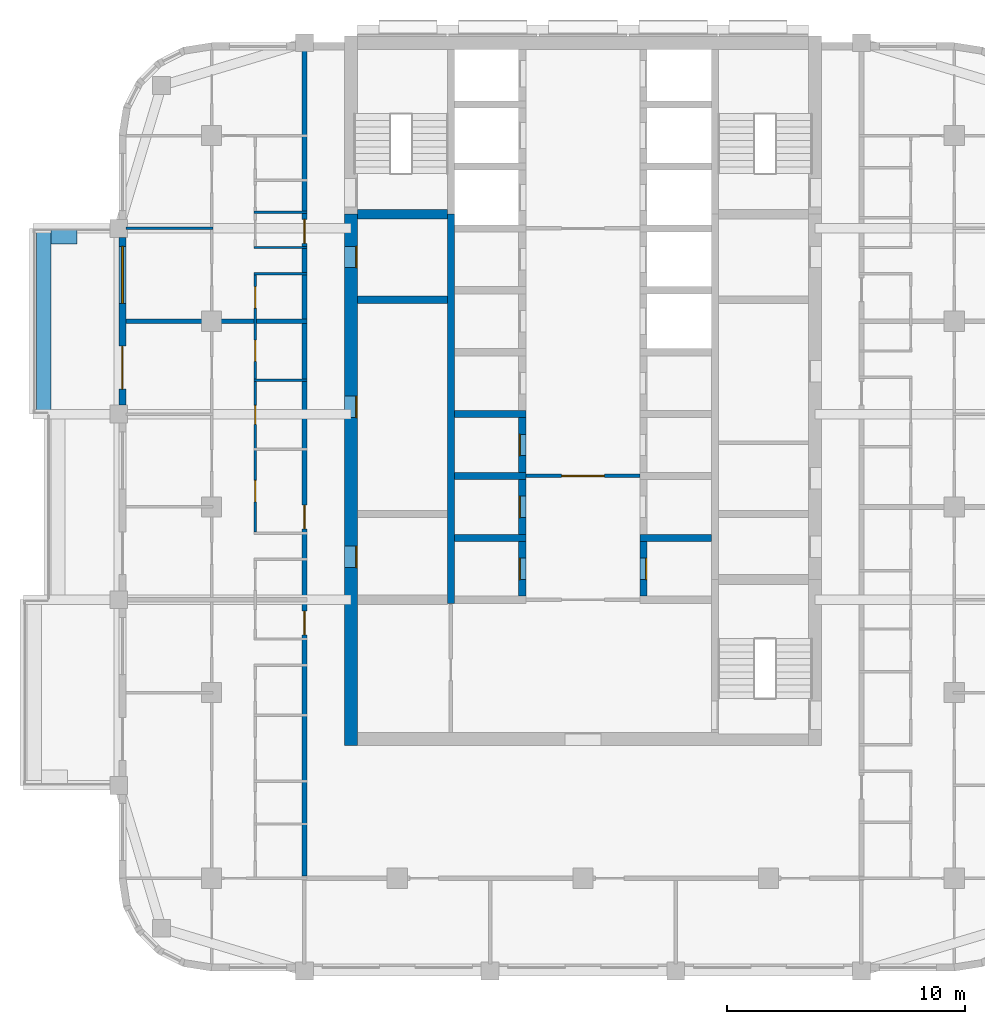
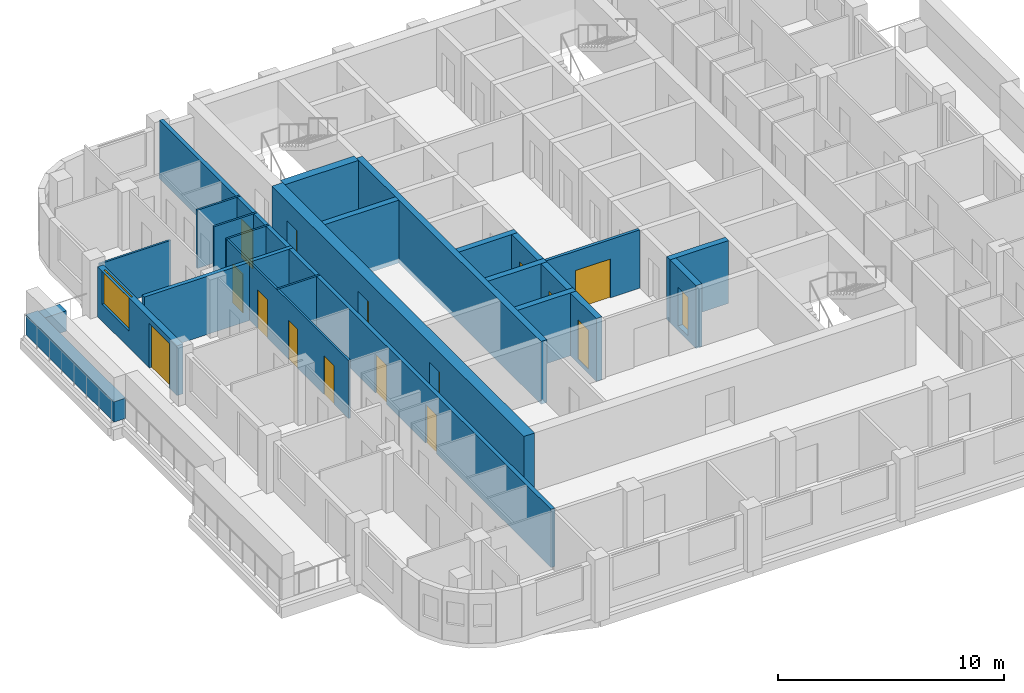
# One storey, part 4 of 13: 24 walls, 16 doors, 1 window, 17 openings.
"""IFC4 building model written with IfcOpenShell, lengths in metres."""

from ifc_helpers import new_model, si_unit, direction, frame, frame_2d, origin, place, context, subcontext, project, spatial, rectangle, extrude, material, layer, layer_set, type_object, element, fill, save


model = new_model("IFC4")

# Units and contexts
model_context = context("Model", 3, precision=1e-05, world=origin(), true_north=direction((0.0, 1.0)))
body_context = subcontext(model_context, "Body", "Model", "MODEL_VIEW")
ifc_project = project(units=[si_unit("LENGTHUNIT", "METRE"), si_unit("AREAUNIT", "SQUARE_METRE"), si_unit("VOLUMEUNIT", "CUBIC_METRE"), si_unit("PLANEANGLEUNIT", "RADIAN"), si_unit("MASSUNIT", "GRAM", prefix="KILO")], contexts=[model_context])

# Site, building, storey
site_placement = place(None, origin())
site = spatial("IfcSite", under=ifc_project, at=site_placement, CompositionType="ELEMENT")
building_placement = place(site_placement, origin())
building = spatial("IfcBuilding", under=site, at=building_placement, Name="Ludao Terraces", CompositionType="ELEMENT")
storey_placement = place(building_placement, frame((0.0, 0.0, 152.0)))
storey = spatial("IfcBuildingStorey", under=building, at=storey_placement, Name="L41", CompositionType="ELEMENT", Elevation=152.0)

# Wall, openings, doors
ifc_material_1 = material(Name="Concrete C60", Category="concrete")
ifc_layer_1 = layer(ifc_material_1, 0.550048828125)
ifc_layer_set_1 = layer_set([ifc_layer_1], Name="Core wall 550 C60")
wall_type_1 = type_object("IfcWallType", Name="Core wall 550 C60", PredefinedType="SOLIDWALL", material=ifc_layer_set_1)
wall_1_placement = place(storey_placement, frame((75.25, 54.97509765625, -0.25), z_axis=(0.0, 0.0, 1.0), x_axis=(0.0, 1.0, 0.0)))
wall_1 = element("IfcWall", 1, at=wall_1_placement, inside=storey, type_object=wall_type_1, Name="Core wall L41 outer-W", PredefinedType="SOLIDWALL", context=body_context, shape_type="SweptSolid", body=[
    extrude(rectangle(XDim=22.324951171875, YDim=0.550048828125, at=frame_2d((11.16259765625, 0.0))), origin(), (0.0, 0.0, 1.0), 3.39990234375),
])
opening_1_placement = place(wall_1_placement, frame((7.47509765625, 0.0, 0.25)))
opening_1 = element("IfcOpeningElement", 2, at=opening_1_placement, cuts=wall_1, Name="Opening R14-033", PredefinedType="OPENING", context=body_context, shape_type="SweptSolid", body=[
    extrude(rectangle(XDim=0.89990234375, YDim=2.10009765625, at=frame_2d((0.449951171875, 1.050048828125))), frame((0.0, 0.28515625, 0.0), z_axis=(0.0, -1.0, 0.0), x_axis=(1.0, 0.0, 0.0)), (0.0, 0.0, 1.0), 0.570068359375),
])
opening_2_placement = place(wall_1_placement, frame((13.77490234375, 0.0, 0.25)))
opening_2 = element("IfcOpeningElement", 3, at=opening_2_placement, cuts=wall_1, Name="Opening R14-051", PredefinedType="OPENING", context=body_context, shape_type="SweptSolid", body=[
    extrude(rectangle(XDim=0.89990234375, YDim=2.10009765625, at=frame_2d((0.449951171875, 1.050048828125))), frame((0.0, 0.28515625, 0.0), z_axis=(0.0, -1.0, 0.0), x_axis=(1.0, 0.0, 0.0)), (0.0, 0.0, 1.0), 0.570068359375),
])
opening_3_placement = place(wall_1_placement, frame((20.074951171875, 0.0, 0.25)))
opening_3 = element("IfcOpeningElement", 4, at=opening_3_placement, cuts=wall_1, Name="Opening R14-069", PredefinedType="OPENING", context=body_context, shape_type="SweptSolid", body=[
    extrude(rectangle(XDim=0.89990234375, YDim=2.10009765625, at=frame_2d((0.449951171875, 1.050048828125))), frame((0.0, 0.28515625, 0.0), z_axis=(0.0, -1.0, 0.0), x_axis=(1.0, 0.0, 0.0)), (0.0, 0.0, 1.0), 0.570068359375),
])
ifc_material_2 = material(Name="Steel Q235", Category="steel")
door_type_1 = type_object("IfcDoorType", Name="INT Riser door 900", OperationType="SINGLE_SWING_LEFT", PredefinedType="DOOR", material=ifc_material_2)
door_1_placement = place(opening_1_placement, origin())
door_1 = element("IfcDoor", 5, at=door_1_placement, inside=storey, type_object=door_type_1, Name="DOOR 033", OperationType="SINGLE_SWING_RIGHT", OverallHeight=2.10009765625, OverallWidth=0.89990234375, PredefinedType="DOOR", context=body_context, shape_type="SweptSolid", body=[
    extrude(rectangle(XDim=0.89990234375, YDim=2.10009765625, at=frame_2d((0.449951171875, 1.050048828125))), frame((0.0, -0.2099609375, 0.0), z_axis=(0.0, -1.0, 0.0), x_axis=(1.0, 0.0, 0.0)), (0.0, 0.0, 1.0), 0.050048828125),
])
fill(opening_1, door_1)
door_2_placement = place(opening_3_placement, origin())
door_2 = element("IfcDoor", 6, at=door_2_placement, inside=storey, type_object=door_type_1, Name="DOOR 069", OperationType="SINGLE_SWING_LEFT", OverallHeight=2.10009765625, OverallWidth=0.89990234375, PredefinedType="DOOR", context=body_context, shape_type="SweptSolid", body=[
    extrude(rectangle(XDim=0.89990234375, YDim=2.10009765625, at=frame_2d((0.449951171875, 1.050048828125))), frame((0.0, -0.2099609375, 0.0), z_axis=(0.0, -1.0, 0.0), x_axis=(1.0, 0.0, 0.0)), (0.0, 0.0, 1.0), 0.050048828125),
])
fill(opening_3, door_2)
ifc_material_3 = material(Name="Timber door leaf", Category="wood")
door_type_2 = type_object("IfcDoorType", Name="INT Room door 900", OperationType="SINGLE_SWING_LEFT", PredefinedType="DOOR", material=ifc_material_3)
door_3_placement = place(opening_2_placement, origin())
door_3 = element("IfcDoor", 7, at=door_3_placement, inside=storey, type_object=door_type_2, Name="DOOR 051", OperationType="SINGLE_SWING_LEFT", OverallHeight=2.10009765625, OverallWidth=0.89990234375, PredefinedType="DOOR", context=body_context, shape_type="SweptSolid", body=[
    extrude(rectangle(XDim=0.89990234375, YDim=2.10009765625, at=frame_2d((0.449951171875, 1.050048828125))), frame((0.0, -0.2099609375, 0.0), z_axis=(0.0, -1.0, 0.0), x_axis=(1.0, 0.0, 0.0)), (0.0, 0.0, 1.0), 0.050048828125),
])
fill(opening_2, door_3)

# Walls
ifc_material_4 = material(Name="Concrete C40", Category="concrete")
ifc_layer_2 = layer(ifc_material_4, 0.60009765625)
ifc_layer_set_2 = layer_set([ifc_layer_2], Name="ENV Planter trough 600")
wall_type_2 = type_object("IfcWallType", Name="ENV Planter trough 600", PredefinedType="USERDEFINED", material=ifc_layer_set_2)
wall_2_placement = place(storey_placement, frame((62.35009765625, 68.89990234375, 0.0), z_axis=(0.0, 0.0, 1.0), x_axis=(0.0, 1.0, 0.0)))
element("IfcWall", 8, at=wall_2_placement, inside=storey, type_object=wall_type_2, Name="PL-L41-W3", ObjectType="PLANTER", PredefinedType="USERDEFINED", context=body_context, shape_type="SweptSolid", body=[
    extrude(rectangle(XDim=7.800048828125, YDim=0.60009765625, at=frame_2d((3.89990234375, 0.0))), origin(), (0.0, 0.0, 1.0), 1.10009765625),
])
wall_3_placement = place(storey_placement, frame((62.64990234375, 76.35009765625, 0.0), z_axis=(0.0, 0.0, 1.0), x_axis=(1.0, 0.0, 0.0)))
element("IfcWall", 9, at=wall_3_placement, inside=storey, type_object=wall_type_2, Name="PL-L41-W3-SB", ObjectType="PLANTER", PredefinedType="USERDEFINED", context=body_context, shape_type="SweptSolid", body=[
    extrude(rectangle(XDim=1.10009765625, YDim=0.60009765625, at=frame_2d((0.550048828125, 0.0))), origin(), (0.0, 0.0, 1.0), 1.10009765625),
])

# Wall, openings, door, window
ifc_material_5 = material(Name="Granite cladding", Category="masonry")
ifc_layer_3 = layer(ifc_material_5, 0.0400390625, Category="stone")
ifc_material_6 = material(Name="Mineral wool")
ifc_layer_4 = layer(ifc_material_6, 0.06005859375)
ifc_layer_5 = layer(ifc_material_4, 0.199951171875, Category="concrete")
ifc_layer_set_3 = layer_set([ifc_layer_3, ifc_layer_4, ifc_layer_5], Name="ENV Stone-clad wall 300")
wall_type_3 = type_object("IfcWallType", Name="ENV Stone-clad wall 300", PredefinedType="SOLIDWALL", material=ifc_layer_set_3)
wall_4_placement = place(storey_placement, frame((65.64990234375, 69.27490234375, 0.0), z_axis=(0.0, 0.0, 1.0), x_axis=(0.0, 1.0, 0.0)))
wall_4 = element("IfcWall", 10, at=wall_4_placement, inside=storey, type_object=wall_type_3, Name="EW-L41-W4", PredefinedType="SOLIDWALL", context=body_context, shape_type="SweptSolid", body=[
    extrude(rectangle(XDim=7.050048828125, YDim=0.300048828125, at=frame_2d((3.52490234375, 0.0))), origin(), (0.0, 0.0, 1.0), 2.699951171875),
])
opening_4_placement = place(wall_4_placement, frame((0.675048828125, 0.0, 0.0)))
opening_4 = element("IfcOpeningElement", 11, at=opening_4_placement, cuts=wall_4, Name="Opening BD", PredefinedType="OPENING", context=body_context, shape_type="SweptSolid", body=[
    extrude(rectangle(XDim=1.800048828125, YDim=2.39990234375, at=frame_2d((0.89990234375, 1.199951171875))), frame((0.0, 0.16015625, 0.0), z_axis=(0.0, -1.0, 0.0), x_axis=(1.0, 0.0, 0.0)), (0.0, 0.0, 1.0), 0.320068359375),
])
opening_5_placement = place(wall_4_placement, frame((4.27490234375, 0.0, 0.89990234375)))
opening_5 = element("IfcOpeningElement", 12, at=opening_5_placement, cuts=wall_4, Name="Opening W1", PredefinedType="OPENING", context=body_context, shape_type="SweptSolid", body=[
    extrude(rectangle(XDim=2.39990234375, YDim=1.800048828125, at=frame_2d((1.199951171875, 0.89990234375))), frame((0.0, 0.16015625, 0.0), z_axis=(0.0, -1.0, 0.0), x_axis=(1.0, 0.0, 0.0)), (0.0, 0.0, 1.0), 0.320068359375),
])
ifc_material_7 = material(Name="Aluminium glazed door", Category="aluminium")
ifc_layer_6 = layer(ifc_material_7, 0.06005859375)
ifc_layer_set_4 = layer_set([ifc_layer_6], Name="ENV Balcony door BD 1800x2400")
door_type_3 = type_object("IfcDoorType", Name="ENV Balcony door BD 1800x2400", OperationType="DOUBLE_DOOR_SINGLE_SWING", PredefinedType="DOOR", material=ifc_layer_set_4)
door_4_placement = place(opening_4_placement, origin())
door_4 = element("IfcDoor", 13, at=door_4_placement, inside=storey, type_object=door_type_3, Name="BD-L41-W4-1", OperationType="DOUBLE_DOOR_SINGLE_SWING", OverallHeight=2.39990234375, OverallWidth=1.800048828125, PredefinedType="DOOR", context=body_context, shape_type="SweptSolid", body=[
    extrude(rectangle(XDim=1.800048828125, YDim=2.39990234375, at=frame_2d((0.89990234375, 1.199951171875))), frame((0.0, 0.02490234375, 0.0), z_axis=(0.0, -1.0, 0.0), x_axis=(1.0, 0.0, 0.0)), (0.0, 0.0, 1.0), 0.050048828125),
])
fill(opening_4, door_4)
ifc_material_8 = material(Name="Clear glass in aluminium frame", Category="aluminium")
ifc_layer_7 = layer(ifc_material_8, 0.06005859375)
ifc_layer_set_5 = layer_set([ifc_layer_7], Name="ENV Window W1 2400x1800")
window_type = type_object("IfcWindowType", Name="ENV Window W1 2400x1800", PartitioningType="DOUBLE_PANEL_VERTICAL", PredefinedType="WINDOW", material=ifc_layer_set_5)
window_placement = place(opening_5_placement, origin())
window = element("IfcWindow", 14, at=window_placement, inside=storey, type_object=window_type, Name="W-L41-W4-2", OverallHeight=1.800048828125, OverallWidth=2.39990234375, PartitioningType="DOUBLE_PANEL_VERTICAL", PredefinedType="WINDOW", context=body_context, shape_type="SweptSolid", body=[
    extrude(rectangle(XDim=2.39990234375, YDim=1.800048828125, at=frame_2d((1.199951171875, 0.89990234375))), frame((0.0, 0.030029296875, 0.0), z_axis=(0.0, -1.0, 0.0), x_axis=(1.0, 0.0, 0.0)), (0.0, 0.0, 1.0), 0.06005859375),
])
fill(opening_5, window)

# Wall, opening, door
ifc_material_9 = material(Name="Fire-rated gypsum plasterboard", Category="gypsum")
ifc_layer_8 = layer(ifc_material_9, 0.012451171875, Category="gypsum")
ifc_layer_9 = layer(ifc_material_6, 0.10009765625, Name="insulation")
ifc_layer_10 = layer(ifc_material_2, 0.02490234375, Name="stud")
ifc_layer_11 = layer(ifc_material_9, 0.012451171875, Category="gypsum")
ifc_layer_set_6 = layer_set([ifc_layer_8, ifc_layer_9, ifc_layer_10, ifc_layer_11], Name="INT Core partition 150")
wall_type_4 = type_object("IfcWallType", Name="INT Core partition 150", PredefinedType="PARTITIONING", material=ifc_layer_set_6)
wall_5_placement = place(storey_placement, frame((82.60009765625, 66.300048828125, 0.0), z_axis=(0.0, 0.0, 1.0), x_axis=(1.0, 0.0, 0.0)))
wall_5 = element("IfcWall", 15, at=wall_5_placement, inside=storey, type_object=wall_type_4, Name="PW-L41-PW024", PredefinedType="PARTITIONING", context=body_context, shape_type="SweptSolid", body=[
    extrude(rectangle(XDim=4.800048828125, YDim=0.14990234375, at=frame_2d((2.39990234375, 0.0))), origin(), (0.0, 0.0, 1.0), 3.14990234375),
])
opening_6_placement = place(wall_5_placement, frame((1.5, 0.0, 0.0)))
opening_6 = element("IfcOpeningElement", 16, at=opening_6_placement, cuts=wall_5, Name="Opening R14-044", PredefinedType="OPENING", context=body_context, shape_type="SweptSolid", body=[
    extrude(rectangle(XDim=1.800048828125, YDim=2.10009765625, at=frame_2d((0.89990234375, 1.050048828125))), frame((0.0, 0.0849609375, 0.0), z_axis=(0.0, -1.0, 0.0), x_axis=(1.0, 0.0, 0.0)), (0.0, 0.0, 1.0), 0.169921875),
])
door_type_4 = type_object("IfcDoorType", Name="INT Fire lobby door 1800", OperationType="DOUBLE_DOOR_SINGLE_SWING", PredefinedType="DOOR", material=ifc_material_2)
door_5_placement = place(opening_6_placement, origin())
door_5 = element("IfcDoor", 17, at=door_5_placement, inside=storey, type_object=door_type_4, Name="DOOR 044", OperationType="DOUBLE_DOOR_SINGLE_SWING", OverallHeight=2.10009765625, OverallWidth=1.800048828125, PredefinedType="DOOR", context=body_context, shape_type="SweptSolid", body=[
    extrude(rectangle(XDim=1.800048828125, YDim=2.10009765625, at=frame_2d((0.89990234375, 1.050048828125))), frame((0.0, 0.02490234375, 0.0), z_axis=(0.0, -1.0, 0.0), x_axis=(1.0, 0.0, 0.0)), (0.0, 0.0, 1.0), 0.050048828125),
])
fill(opening_6, door_5)

# Wall, openings, doors
ifc_material_10 = material(Name="Autoclaved aerated concrete block B06 A3.5", Category="concrete")
ifc_layer_12 = layer(ifc_material_10, 0.199951171875)
ifc_layer_set_7 = layer_set([ifc_layer_12], Name="INT Entrance wall 200")
wall_type_5 = type_object("IfcWallType", Name="INT Entrance wall 200", PredefinedType="PARTITIONING", material=ifc_layer_set_7)
wall_6_placement = place(storey_placement, frame((73.300048828125, 49.5, 0.0), z_axis=(0.0, 0.0, 1.0), x_axis=(0.0, 1.0, 0.0)))
wall_6 = element("IfcWall", 18, at=wall_6_placement, inside=storey, type_object=wall_type_5, Name="PW-L41-PW054", PredefinedType="PARTITIONING", context=body_context, shape_type="SweptSolid", body=[
    extrude(rectangle(XDim=34.7001953125, YDim=0.199951171875, at=frame_2d((17.35009765625, 0.0))), origin(), (0.0, 0.0, 1.0), 3.14990234375),
])
opening_7_placement = place(wall_6_placement, frame((10.125, 0.0, 0.0)))
opening_7 = element("IfcOpeningElement", 19, at=opening_7_placement, cuts=wall_6, Name="Opening R14-026", PredefinedType="OPENING", context=body_context, shape_type="SweptSolid", body=[
    extrude(rectangle(XDim=1.0, YDim=2.10009765625, at=frame_2d((0.5, 1.050048828125))), frame((0.0, 0.10986328125, 0.0), z_axis=(0.0, -1.0, 0.0), x_axis=(1.0, 0.0, 0.0)), (0.0, 0.0, 1.0), 0.219970703125),
])
opening_8_placement = place(wall_6_placement, frame((14.5751953125, 0.0, 0.0)))
opening_8 = element("IfcOpeningElement", 20, at=opening_8_placement, cuts=wall_6, Name="Opening R14-038", PredefinedType="OPENING", context=body_context, shape_type="SweptSolid", body=[
    extrude(rectangle(XDim=1.0, YDim=2.10009765625, at=frame_2d((0.5, 1.050048828125))), frame((0.0, 0.10986328125, 0.0), z_axis=(0.0, -1.0, 0.0), x_axis=(1.0, 0.0, 0.0)), (0.0, 0.0, 1.0), 0.219970703125),
])
opening_9_placement = place(wall_6_placement, frame((26.5751953125, 0.0, 0.0)))
opening_9 = element("IfcOpeningElement", 21, at=opening_9_placement, cuts=wall_6, Name="Opening R14-072", PredefinedType="OPENING", context=body_context, shape_type="SweptSolid", body=[
    extrude(rectangle(XDim=1.0, YDim=2.10009765625, at=frame_2d((0.5, 1.050048828125))), frame((0.0, 0.10986328125, 0.0), z_axis=(0.0, -1.0, 0.0), x_axis=(1.0, 0.0, 0.0)), (0.0, 0.0, 1.0), 0.219970703125),
])
door_type_5 = type_object("IfcDoorType", Name="INT Flat entrance door 1000", OperationType="SINGLE_SWING_LEFT", PredefinedType="DOOR", material=ifc_material_2)
door_6_placement = place(opening_7_placement, origin())
door_6 = element("IfcDoor", 22, at=door_6_placement, inside=storey, type_object=door_type_5, Name="DOOR 026", OperationType="SINGLE_SWING_RIGHT", OverallHeight=2.10009765625, OverallWidth=1.0, PredefinedType="DOOR", context=body_context, shape_type="SweptSolid", body=[
    extrude(rectangle(XDim=1.0, YDim=2.10009765625, at=frame_2d((0.5, 1.050048828125))), frame((0.0, 0.02490234375, 0.0), z_axis=(0.0, -1.0, 0.0), x_axis=(1.0, 0.0, 0.0)), (0.0, 0.0, 1.0), 0.050048828125),
])
fill(opening_7, door_6)
door_7_placement = place(opening_8_placement, origin())
door_7 = element("IfcDoor", 23, at=door_7_placement, inside=storey, type_object=door_type_5, Name="DOOR 038", OperationType="SINGLE_SWING_RIGHT", OverallHeight=2.10009765625, OverallWidth=1.0, PredefinedType="DOOR", context=body_context, shape_type="SweptSolid", body=[
    extrude(rectangle(XDim=1.0, YDim=2.10009765625, at=frame_2d((0.5, 1.050048828125))), frame((0.0, 0.02490234375, 0.0), z_axis=(0.0, -1.0, 0.0), x_axis=(1.0, 0.0, 0.0)), (0.0, 0.0, 1.0), 0.050048828125),
])
fill(opening_8, door_7)
door_8_placement = place(opening_9_placement, origin())
door_8 = element("IfcDoor", 24, at=door_8_placement, inside=storey, type_object=door_type_5, Name="DOOR 072", OperationType="SINGLE_SWING_RIGHT", OverallHeight=2.10009765625, OverallWidth=1.0, PredefinedType="DOOR", context=body_context, shape_type="SweptSolid", body=[
    extrude(rectangle(XDim=1.0, YDim=2.10009765625, at=frame_2d((0.5, 1.050048828125))), frame((0.0, 0.02490234375, 0.0), z_axis=(0.0, -1.0, 0.0), x_axis=(1.0, 0.0, 0.0)), (0.0, 0.0, 1.0), 0.050048828125),
])
fill(opening_9, door_8)

# Walls
ifc_material_11 = material(Name="Gypsum plasterboard", Category="gypsum")
ifc_layer_13 = layer(ifc_material_11, 0.012451171875, Category="gypsum")
ifc_layer_14 = layer(ifc_material_6, 0.06005859375, Name="insulation")
ifc_layer_15 = layer(ifc_material_2, 0.014892578125, Name="stud")
ifc_layer_16 = layer(ifc_material_11, 0.012451171875, Category="gypsum")
ifc_layer_set_8 = layer_set([ifc_layer_13, ifc_layer_14, ifc_layer_15, ifc_layer_16], Name="INT Partition 100")
wall_type_6 = type_object("IfcWallType", Name="INT Partition 100", PredefinedType="PARTITIONING", material=ifc_layer_set_8)
for number, where, z_axis, x_axis, name in (
    (25, (71.18017578125, 70.320068359375, 0.0), (0.0, 0.0, 1.0), (1.0, 0.0, 0.0), "PW-L41-PW030"),
    (26, (71.18017578125, 74.800048828125, 0.0), (0.0, 0.0, 1.0), (1.0, 0.0, 0.0), "PW-L41-PW035"),
    (27, (71.18017578125, 75.89990234375, 0.0), (0.0, 0.0, 1.0), (1.0, 0.0, 0.0), "PW-L41-PW037"),
):
    element("IfcWall", number, at=place(storey_placement, frame(where, z_axis=z_axis, x_axis=x_axis)), inside=storey, type_object=wall_type_6, Name=name, PredefinedType="PARTITIONING", context=body_context, shape_type="SweptSolid", body=[
        extrude(rectangle(XDim=2.219970703125, YDim=0.10009765625, at=frame_2d((1.10986328125, 0.0))), origin(), (0.0, 0.0, 1.0), 3.14990234375),
    ])
wall_7_placement = place(storey_placement, frame((65.800048828125, 76.699951171875, 0.0), z_axis=(0.0, 0.0, 1.0), x_axis=(1.0, 0.0, 0.0)))
element("IfcWall", 28, at=wall_7_placement, inside=storey, type_object=wall_type_6, Name="PW-L41-PW039", PredefinedType="PARTITIONING", context=body_context, shape_type="SweptSolid", body=[
    extrude(rectangle(XDim=3.650146484375, YDim=0.10009765625, at=frame_2d((1.8251953125, 0.0))), origin(), (0.0, 0.0, 1.0), 2.550048828125),
])
wall_8_placement = place(storey_placement, frame((71.18017578125, 77.3798828125, 0.0), z_axis=(0.0, 0.0, 1.0), x_axis=(1.0, 0.0, 0.0)))
element("IfcWall", 29, at=wall_8_placement, inside=storey, type_object=wall_type_6, Name="PW-L41-PW043", PredefinedType="PARTITIONING", context=body_context, shape_type="SweptSolid", body=[
    extrude(rectangle(XDim=2.219970703125, YDim=0.10009765625, at=frame_2d((1.10986328125, 0.0))), origin(), (0.0, 0.0, 1.0), 3.14990234375),
])

# Wall, openings, doors
wall_9_placement = place(storey_placement, frame((71.22998046875, 63.9501953125, 0.0), z_axis=(0.0, 0.0, 1.0), x_axis=(0.0, 1.0, 0.0)))
wall_9 = element("IfcWall", 30, at=wall_9_placement, inside=storey, type_object=wall_type_6, Name="PW-L41-PW051", PredefinedType="PARTITIONING", context=body_context, shape_type="SweptSolid", body=[
    extrude(rectangle(XDim=10.7998046875, YDim=0.10009765625, at=frame_2d((5.39990234375, 0.0))), origin(), (0.0, 0.0, 1.0), 3.14990234375),
])
opening_10_placement = place(wall_9_placement, frame((1.260009765625, 0.0, 0.0)))
opening_10 = element("IfcOpeningElement", 31, at=opening_10_placement, cuts=wall_9, Name="Opening R14-041", PredefinedType="OPENING", context=body_context, shape_type="SweptSolid", body=[
    extrude(rectangle(XDim=0.89990234375, YDim=2.10009765625, at=frame_2d((0.449951171875, 1.050048828125))), frame((0.0, 0.06005859375, 0.0), z_axis=(0.0, -1.0, 0.0), x_axis=(1.0, 0.0, 0.0)), (0.0, 0.0, 1.0), 0.1201171875),
])
opening_11_placement = place(wall_9_placement, frame((4.52001953125, 0.0, 0.0)))
opening_11 = element("IfcOpeningElement", 32, at=opening_11_placement, cuts=wall_9, Name="Opening R14-049", PredefinedType="OPENING", context=body_context, shape_type="SweptSolid", body=[
    extrude(rectangle(XDim=0.800048828125, YDim=2.10009765625, at=frame_2d((0.39990234375, 1.050048828125))), frame((0.0, 0.06005859375, 0.0), z_axis=(0.0, -1.0, 0.0), x_axis=(1.0, 0.0, 0.0)), (0.0, 0.0, 1.0), 0.1201171875),
])
opening_12_placement = place(wall_9_placement, frame((7.159912109375, 0.0, 0.0)))
opening_12 = element("IfcOpeningElement", 33, at=opening_12_placement, cuts=wall_9, Name="Opening R14-058", PredefinedType="OPENING", context=body_context, shape_type="SweptSolid", body=[
    extrude(rectangle(XDim=0.89990234375, YDim=2.10009765625, at=frame_2d((0.449951171875, 1.050048828125))), frame((0.0, 0.06005859375, 0.0), z_axis=(0.0, -1.0, 0.0), x_axis=(1.0, 0.0, 0.0)), (0.0, 0.0, 1.0), 0.1201171875),
])
opening_13_placement = place(wall_9_placement, frame((9.39990234375, 0.0, 0.0)))
opening_13 = element("IfcOpeningElement", 34, at=opening_13_placement, cuts=wall_9, Name="Opening R14-062", PredefinedType="OPENING", context=body_context, shape_type="SweptSolid", body=[
    extrude(rectangle(XDim=0.89990234375, YDim=2.10009765625, at=frame_2d((0.449951171875, 1.050048828125))), frame((0.0, 0.06005859375, 0.0), z_axis=(0.0, -1.0, 0.0), x_axis=(1.0, 0.0, 0.0)), (0.0, 0.0, 1.0), 0.1201171875),
])
door_type_6 = type_object("IfcDoorType", Name="INT Bathroom door 900", OperationType="SINGLE_SWING_LEFT", PredefinedType="DOOR", material=ifc_material_3)
door_9_placement = place(opening_12_placement, origin())
door_9 = element("IfcDoor", 35, at=door_9_placement, inside=storey, type_object=door_type_6, Name="DOOR 058", OperationType="SINGLE_SWING_LEFT", OverallHeight=2.10009765625, OverallWidth=0.89990234375, PredefinedType="DOOR", context=body_context, shape_type="SweptSolid", body=[
    extrude(rectangle(XDim=0.89990234375, YDim=2.10009765625, at=frame_2d((0.449951171875, 1.050048828125))), frame((0.0, 0.02490234375, 0.0), z_axis=(0.0, -1.0, 0.0), x_axis=(1.0, 0.0, 0.0)), (0.0, 0.0, 1.0), 0.050048828125),
])
fill(opening_12, door_9)
door_10_placement = place(opening_13_placement, origin())
door_10 = element("IfcDoor", 36, at=door_10_placement, inside=storey, type_object=door_type_6, Name="DOOR 062", OperationType="SINGLE_SWING_RIGHT", OverallHeight=2.10009765625, OverallWidth=0.89990234375, PredefinedType="DOOR", context=body_context, shape_type="SweptSolid", body=[
    extrude(rectangle(XDim=0.89990234375, YDim=2.10009765625, at=frame_2d((0.449951171875, 1.050048828125))), frame((0.0, 0.02490234375, 0.0), z_axis=(0.0, -1.0, 0.0), x_axis=(1.0, 0.0, 0.0)), (0.0, 0.0, 1.0), 0.050048828125),
])
fill(opening_13, door_10)
door_11_placement = place(opening_10_placement, origin())
door_11 = element("IfcDoor", 37, at=door_11_placement, inside=storey, type_object=door_type_2, Name="DOOR 041", OperationType="SINGLE_SWING_RIGHT", OverallHeight=2.10009765625, OverallWidth=0.89990234375, PredefinedType="DOOR", context=body_context, shape_type="SweptSolid", body=[
    extrude(rectangle(XDim=0.89990234375, YDim=2.10009765625, at=frame_2d((0.449951171875, 1.050048828125))), frame((0.0, 0.02490234375, 0.0), z_axis=(0.0, -1.0, 0.0), x_axis=(1.0, 0.0, 0.0)), (0.0, 0.0, 1.0), 0.050048828125),
])
fill(opening_10, door_11)
door_type_7 = type_object("IfcDoorType", Name="INT Store door 800", OperationType="SINGLE_SWING_LEFT", PredefinedType="DOOR", material=ifc_material_3)
door_12_placement = place(opening_11_placement, origin())
door_12 = element("IfcDoor", 38, at=door_12_placement, inside=storey, type_object=door_type_7, Name="DOOR 049", OperationType="SINGLE_SWING_RIGHT", OverallHeight=2.10009765625, OverallWidth=0.800048828125, PredefinedType="DOOR", context=body_context, shape_type="SweptSolid", body=[
    extrude(rectangle(XDim=0.800048828125, YDim=2.10009765625, at=frame_2d((0.39990234375, 1.050048828125))), frame((0.0, 0.02490234375, 0.0), z_axis=(0.0, -1.0, 0.0), x_axis=(1.0, 0.0, 0.0)), (0.0, 0.0, 1.0), 0.050048828125),
])
fill(opening_11, door_12)

# Walls
ifc_layer_17 = layer(ifc_material_10, 0.199951171875)
ifc_layer_set_9 = layer_set([ifc_layer_17], Name="INT Party wall 200")
wall_type_7 = type_object("IfcWallType", Name="INT Party wall 200", PredefinedType="PARTITIONING", material=ifc_layer_set_9)
wall_10_placement = place(storey_placement, frame((65.800048828125, 72.800048828125, 0.0), z_axis=(0.0, 0.0, 1.0), x_axis=(1.0, 0.0, 0.0)))
element("IfcWall", 39, at=wall_10_placement, inside=storey, type_object=wall_type_7, Name="PW-L41-PW033", PredefinedType="PARTITIONING", context=body_context, shape_type="SweptSolid", body=[
    extrude(rectangle(XDim=7.60009765625, YDim=0.199951171875, at=frame_2d((3.800048828125, 0.0))), origin(), (0.0, 0.0, 1.0), 3.14990234375),
])
ifc_material_12 = material(Name="Concrete C55", Category="concrete")
ifc_layer_18 = layer(ifc_material_12, 0.300048828125)
ifc_layer_set_10 = layer_set([ifc_layer_18], Name="Shaft wall 300 C55")
wall_type_8 = type_object("IfcWallType", Name="Shaft wall 300 C55", PredefinedType="SOLIDWALL", material=ifc_layer_set_10)
wall_11_placement = place(storey_placement, frame((79.449951171875, 60.949951171875, -0.25), z_axis=(0.0, 0.0, 1.0), x_axis=(0.0, 1.0, 0.0)))
element("IfcWall", 40, at=wall_11_placement, inside=storey, type_object=wall_type_8, Name="Core wall L41 back-W", PredefinedType="SOLIDWALL", context=body_context, shape_type="SweptSolid", body=[
    extrude(rectangle(XDim=16.35009765625, YDim=0.300048828125, at=frame_2d((8.175048828125, 0.0))), origin(), (0.0, 0.0, 1.0), 3.39990234375),
])

# Wall, opening, door
wall_12_placement = place(storey_placement, frame((82.449951171875, 61.25, -0.25), z_axis=(0.0, 0.0, 1.0), x_axis=(0.0, 1.0, 0.0)))
wall_12 = element("IfcWall", 41, at=wall_12_placement, inside=storey, type_object=wall_type_8, Name="Core wall L41 front-W1", PredefinedType="SOLIDWALL", context=body_context, shape_type="SweptSolid", body=[
    extrude(rectangle(XDim=2.300048828125, YDim=0.300048828125, at=frame_2d((1.14990234375, 0.0))), origin(), (0.0, 0.0, 1.0), 3.39990234375),
])
opening_14_placement = place(wall_12_placement, frame((0.699951171875, 0.0, 0.25)))
opening_14 = element("IfcOpeningElement", 42, at=opening_14_placement, cuts=wall_12, Name="Opening R14-031", PredefinedType="OPENING", context=body_context, shape_type="SweptSolid", body=[
    extrude(rectangle(XDim=0.89990234375, YDim=2.10009765625, at=frame_2d((0.449951171875, 1.050048828125))), frame((0.0, 0.16015625, 0.0), z_axis=(0.0, -1.0, 0.0), x_axis=(1.0, 0.0, 0.0)), (0.0, 0.0, 1.0), 0.320068359375),
])
door_13_placement = place(opening_14_placement, origin())
door_13 = element("IfcDoor", 43, at=door_13_placement, inside=storey, type_object=door_type_2, Name="DOOR 031", OperationType="SINGLE_SWING_RIGHT", OverallHeight=2.10009765625, OverallWidth=0.89990234375, PredefinedType="DOOR", context=body_context, shape_type="SweptSolid", body=[
    extrude(rectangle(XDim=0.89990234375, YDim=2.10009765625, at=frame_2d((0.449951171875, 1.050048828125))), frame((0.0, 0.13525390625, 0.0), z_axis=(0.0, -1.0, 0.0), x_axis=(1.0, 0.0, 0.0)), (0.0, 0.0, 1.0), 0.050048828125),
])
fill(opening_14, door_13)

# Wall
wall_13_placement = place(storey_placement, frame((79.60009765625, 63.699951171875, -0.25), z_axis=(0.0, 0.0, 1.0), x_axis=(1.0, 0.0, 0.0)))
element("IfcWall", 44, at=wall_13_placement, inside=storey, type_object=wall_type_8, Name="Core wall L41 div-W2", PredefinedType="SOLIDWALL", context=body_context, shape_type="SweptSolid", body=[
    extrude(rectangle(XDim=3.0, YDim=0.300048828125, at=frame_2d((1.5, 0.0))), origin(), (0.0, 0.0, 1.0), 3.39990234375),
])

# Wall, opening, door
wall_14_placement = place(storey_placement, frame((82.449951171875, 63.85009765625, -0.25), z_axis=(0.0, 0.0, 1.0), x_axis=(0.0, 1.0, 0.0)))
wall_14 = element("IfcWall", 45, at=wall_14_placement, inside=storey, type_object=wall_type_8, Name="Core wall L41 front-W2", PredefinedType="SOLIDWALL", context=body_context, shape_type="SweptSolid", body=[
    extrude(rectangle(XDim=2.2998046875, YDim=0.300048828125, at=frame_2d((1.14990234375, 0.0))), origin(), (0.0, 0.0, 1.0), 3.39990234375),
])
opening_15_placement = place(wall_14_placement, frame((0.699951171875, 0.0, 0.25)))
opening_15 = element("IfcOpeningElement", 46, at=opening_15_placement, cuts=wall_14, Name="Opening R14-039", PredefinedType="OPENING", context=body_context, shape_type="SweptSolid", body=[
    extrude(rectangle(XDim=0.89990234375, YDim=2.10009765625, at=frame_2d((0.449951171875, 1.050048828125))), frame((0.0, 0.16015625, 0.0), z_axis=(0.0, -1.0, 0.0), x_axis=(1.0, 0.0, 0.0)), (0.0, 0.0, 1.0), 0.320068359375),
])
door_14_placement = place(opening_15_placement, origin())
door_14 = element("IfcDoor", 47, at=door_14_placement, inside=storey, type_object=door_type_2, Name="DOOR 039", OperationType="SINGLE_SWING_LEFT", OverallHeight=2.10009765625, OverallWidth=0.89990234375, PredefinedType="DOOR", context=body_context, shape_type="SweptSolid", body=[
    extrude(rectangle(XDim=0.89990234375, YDim=2.10009765625, at=frame_2d((0.449951171875, 1.050048828125))), frame((0.0, 0.13525390625, 0.0), z_axis=(0.0, -1.0, 0.0), x_axis=(1.0, 0.0, 0.0)), (0.0, 0.0, 1.0), 0.050048828125),
])
fill(opening_15, door_14)

# Wall
wall_15_placement = place(storey_placement, frame((79.60009765625, 66.300048828125, -0.25), z_axis=(0.0, 0.0, 1.0), x_axis=(1.0, 0.0, 0.0)))
element("IfcWall", 48, at=wall_15_placement, inside=storey, type_object=wall_type_8, Name="Core wall L41 div-W3", PredefinedType="SOLIDWALL", context=body_context, shape_type="SweptSolid", body=[
    extrude(rectangle(XDim=3.0, YDim=0.300048828125, at=frame_2d((1.5, 0.0))), origin(), (0.0, 0.0, 1.0), 3.39990234375),
])

# Wall, opening, door
wall_16_placement = place(storey_placement, frame((82.449951171875, 66.449951171875, -0.25), z_axis=(0.0, 0.0, 1.0), x_axis=(0.0, 1.0, 0.0)))
wall_16 = element("IfcWall", 49, at=wall_16_placement, inside=storey, type_object=wall_type_8, Name="Core wall L41 front-W3", PredefinedType="SOLIDWALL", context=body_context, shape_type="SweptSolid", body=[
    extrude(rectangle(XDim=2.300048828125, YDim=0.300048828125, at=frame_2d((1.14990234375, 0.0))), origin(), (0.0, 0.0, 1.0), 3.39990234375),
])
opening_16_placement = place(wall_16_placement, frame((0.699951171875, 0.0, 0.25)))
opening_16 = element("IfcOpeningElement", 50, at=opening_16_placement, cuts=wall_16, Name="Opening R14-047", PredefinedType="OPENING", context=body_context, shape_type="SweptSolid", body=[
    extrude(rectangle(XDim=0.89990234375, YDim=2.10009765625, at=frame_2d((0.449951171875, 1.050048828125))), frame((0.0, 0.16015625, 0.0), z_axis=(0.0, -1.0, 0.0), x_axis=(1.0, 0.0, 0.0)), (0.0, 0.0, 1.0), 0.320068359375),
])
door_15_placement = place(opening_16_placement, origin())
door_15 = element("IfcDoor", 51, at=door_15_placement, inside=storey, type_object=door_type_2, Name="DOOR 047", OperationType="SINGLE_SWING_RIGHT", OverallHeight=2.10009765625, OverallWidth=0.89990234375, PredefinedType="DOOR", context=body_context, shape_type="SweptSolid", body=[
    extrude(rectangle(XDim=0.89990234375, YDim=2.10009765625, at=frame_2d((0.449951171875, 1.050048828125))), frame((0.0, 0.13525390625, 0.0), z_axis=(0.0, -1.0, 0.0), x_axis=(1.0, 0.0, 0.0)), (0.0, 0.0, 1.0), 0.050048828125),
])
fill(opening_16, door_15)

# Wall
wall_17_placement = place(storey_placement, frame((79.60009765625, 68.89990234375, -0.25), z_axis=(0.0, 0.0, 1.0), x_axis=(1.0, 0.0, 0.0)))
element("IfcWall", 52, at=wall_17_placement, inside=storey, type_object=wall_type_8, Name="Core wall L41 div-W4", PredefinedType="SOLIDWALL", context=body_context, shape_type="SweptSolid", body=[
    extrude(rectangle(XDim=3.0, YDim=0.300048828125, at=frame_2d((1.5, 0.0))), origin(), (0.0, 0.0, 1.0), 3.39990234375),
])

# Wall, opening, door
wall_18_placement = place(storey_placement, frame((87.550048828125, 61.25, -0.25), z_axis=(0.0, 0.0, 1.0), x_axis=(0.0, 1.0, 0.0)))
wall_18 = element("IfcWall", 53, at=wall_18_placement, inside=storey, type_object=wall_type_8, Name="Core wall L41 front-E1", PredefinedType="SOLIDWALL", context=body_context, shape_type="SweptSolid", body=[
    extrude(rectangle(XDim=2.300048828125, YDim=0.300048828125, at=frame_2d((1.14990234375, 0.0))), origin(), (0.0, 0.0, 1.0), 3.39990234375),
])
opening_17_placement = place(wall_18_placement, frame((0.699951171875, 0.0, 0.25)))
opening_17 = element("IfcOpeningElement", 54, at=opening_17_placement, cuts=wall_18, Name="Opening R14-032", PredefinedType="OPENING", context=body_context, shape_type="SweptSolid", body=[
    extrude(rectangle(XDim=0.89990234375, YDim=2.10009765625, at=frame_2d((0.449951171875, 1.050048828125))), frame((0.0, 0.16015625, 0.0), z_axis=(0.0, -1.0, 0.0), x_axis=(1.0, 0.0, 0.0)), (0.0, 0.0, 1.0), 0.320068359375),
])
door_16_placement = place(opening_17_placement, origin())
door_16 = element("IfcDoor", 55, at=door_16_placement, inside=storey, type_object=door_type_2, Name="DOOR 032", OperationType="SINGLE_SWING_LEFT", OverallHeight=2.10009765625, OverallWidth=0.89990234375, PredefinedType="DOOR", context=body_context, shape_type="SweptSolid", body=[
    extrude(rectangle(XDim=0.89990234375, YDim=2.10009765625, at=frame_2d((0.449951171875, 1.050048828125))), frame((0.0, -0.0849609375, 0.0), z_axis=(0.0, -1.0, 0.0), x_axis=(1.0, 0.0, 0.0)), (0.0, 0.0, 1.0), 0.050048828125),
])
fill(opening_17, door_16)

# Walls
wall_19_placement = place(storey_placement, frame((87.39990234375, 63.699951171875, -0.25), z_axis=(0.0, 0.0, 1.0), x_axis=(1.0, 0.0, 0.0)))
element("IfcWall", 56, at=wall_19_placement, inside=storey, type_object=wall_type_8, Name="Core wall L41 div-E2", PredefinedType="SOLIDWALL", context=body_context, shape_type="SweptSolid", body=[
    extrude(rectangle(XDim=3.0, YDim=0.300048828125, at=frame_2d((1.5, 0.0))), origin(), (0.0, 0.0, 1.0), 3.39990234375),
])
wall_20_placement = place(storey_placement, frame((75.52490234375, 73.699951171875, -0.25), z_axis=(0.0, 0.0, 1.0), x_axis=(1.0, 0.0, 0.0)))
element("IfcWall", 57, at=wall_20_placement, inside=storey, type_object=wall_type_8, Name="Core wall L41 riser-b-W", PredefinedType="SOLIDWALL", context=body_context, shape_type="SweptSolid", body=[
    extrude(rectangle(XDim=3.775146484375, YDim=0.300048828125, at=frame_2d((1.8876953125, 0.0))), origin(), (0.0, 0.0, 1.0), 3.39990234375),
])
ifc_layer_19 = layer(ifc_material_12, 0.39990234375)
ifc_layer_set_11 = layer_set([ifc_layer_19], Name="Shaft wall 400 C55")
wall_type_9 = type_object("IfcWallType", Name="Shaft wall 400 C55", PredefinedType="SOLIDWALL", material=ifc_layer_set_11)
wall_21_placement = place(storey_placement, frame((75.52490234375, 77.300048828125, -0.25), z_axis=(0.0, 0.0, 1.0), x_axis=(1.0, 0.0, 0.0)))
element("IfcWall", 58, at=wall_21_placement, inside=storey, type_object=wall_type_9, Name="Core wall L41 stair-W", PredefinedType="SOLIDWALL", context=body_context, shape_type="SweptSolid", body=[
    extrude(rectangle(XDim=3.775146484375, YDim=0.39990234375, at=frame_2d((1.8876953125, 0.0))), origin(), (0.0, 0.0, 1.0), 3.39990234375),
])

save(model, "model.ifc")
